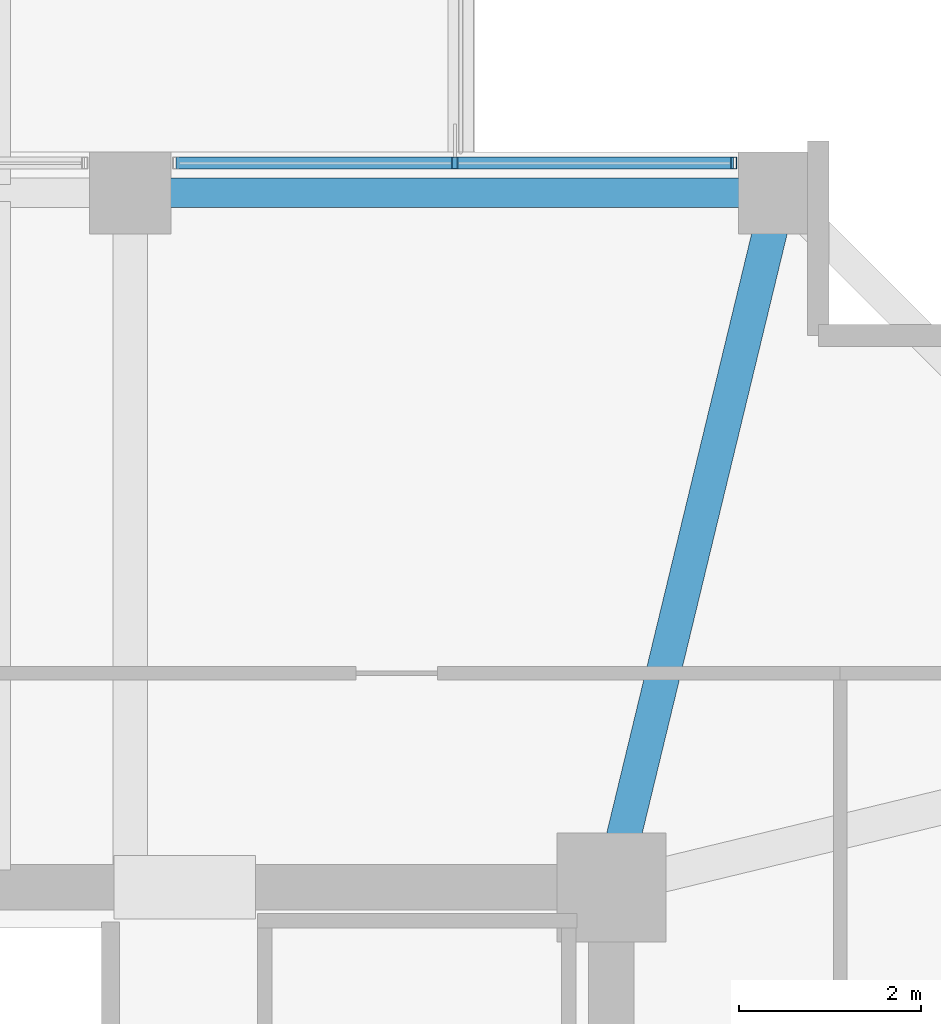
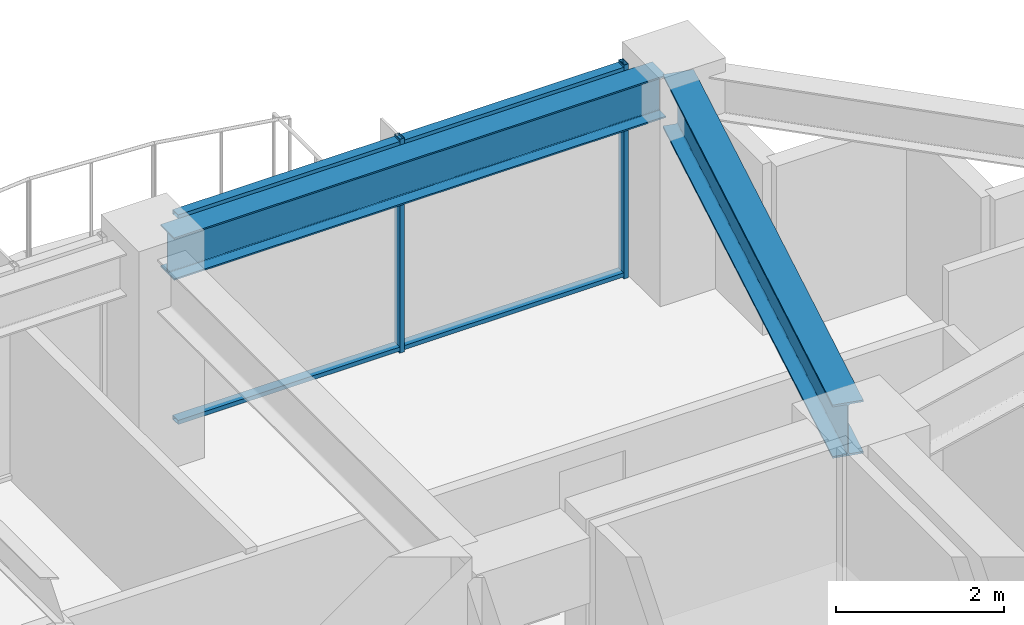
# One storey, part 19 of 31: 4 members, 2 beams, 1 element without a shape of its own.
"""IFC4 building model written with IfcOpenShell, lengths in metres."""

from ifc_helpers import new_model, si_unit, direction, frame, origin, origin_2d, place, context, subcontext, project, spatial, hollow_rectangle, i_section, extrude, material, material_profile, profile_set, type_object, element, aggregate, save


model = new_model("IFC4")

# Units and contexts
model_context = context("Model", 3, precision=1e-05, world=origin(), true_north=direction((0.0, 1.0)))
body_context = subcontext(model_context, "Body", "Model", "MODEL_VIEW")
ifc_project = project(units=[si_unit("LENGTHUNIT", "METRE"), si_unit("AREAUNIT", "SQUARE_METRE"), si_unit("VOLUMEUNIT", "CUBIC_METRE"), si_unit("PLANEANGLEUNIT", "RADIAN"), si_unit("MASSUNIT", "GRAM", prefix="KILO")], contexts=[model_context])

# Site, building, storey
site_placement = place(None, origin())
site = spatial("IfcSite", under=ifc_project, at=site_placement, CompositionType="ELEMENT")
building_placement = place(site_placement, origin())
building = spatial("IfcBuilding", under=site, at=building_placement, Name="Kolvaren Belvedere", CompositionType="ELEMENT")
storey_placement = place(building_placement, frame((0.0, 0.0, 134.89990234375)))
storey = spatial("IfcBuildingStorey", under=building, at=storey_placement, Name="L39", CompositionType="ELEMENT", Elevation=134.89990234375)

# Beams
ifc_material_1 = material(Name="Structural steel ASTM A992 Grade 50", Category="steel")
ifc_material_profile_1 = material_profile(ifc_material_1, i_section(OverallWidth=0.381103515625, OverallDepth=0.77294921875, WebThickness=0.0166015625, FlangeThickness=0.027099609375, FilletRadius=0.02392578125, at=origin_2d()), Name="W30X173")
ifc_profile_set_1 = profile_set([ifc_material_profile_1], Name="Structural steel ASTM A992 Grade 50")
beam_type_1 = type_object("IfcBeamType", Name="BM-GIRD-W30X173", PredefinedType="BEAM", material=ifc_profile_set_1)
beam_1_placement = place(storey_placement, frame((10.029296875, 10.4345703125, 2.713623046875), z_axis=(0.235062749937, 0.971980197119, 0.0), x_axis=(-0.971980197119, 0.235062749937, 0.0)))
element("IfcBeam", 1, at=beam_1_placement, inside=storey, type_object=beam_type_1, Name="L39 Corner Core-to-Perimeter Girder CC3-N4", PredefinedType="BEAM", context=body_context, shape_type="SweptSolid", body=[
    extrude(i_section(OverallWidth=0.381103515625, OverallDepth=0.77294921875, WebThickness=0.0166015625, FlangeThickness=0.027099609375, FilletRadius=0.02392578125, at=origin_2d()), origin(), (0.0, 0.0, 1.0), 7.140625),
])
ifc_material_2 = material(Name="Structural steel ASTM A992 Grade 50", Category="steel")
ifc_material_profile_2 = material_profile(ifc_material_2, i_section(OverallWidth=0.324951171875, OverallDepth=0.615966796875, WebThickness=0.013916015625, FlangeThickness=0.021484375, FilletRadius=0.02001953125, at=origin_2d()), Name="W24X117")
ifc_profile_set_2 = profile_set([ifc_material_profile_2], Name="Structural steel ASTM A992 Grade 50")
beam_type_2 = type_object("IfcBeamType", Name="BM-SPAN-W24X117", PredefinedType="SPANDREL", material=ifc_profile_set_2)
beam_2_placement = place(storey_placement, frame((11.547607421875, 17.550048828125, 2.7919921875), z_axis=(-1.0, 0.0, 0.0), x_axis=(0.0, -1.0, 0.0)))
element("IfcBeam", 2, at=beam_2_placement, inside=storey, type_object=beam_type_2, Name="L39 Perimeter Spandrel N4-N3", PredefinedType="SPANDREL", context=body_context, shape_type="SweptSolid", body=[
    extrude(i_section(OverallWidth=0.324951171875, OverallDepth=0.615966796875, WebThickness=0.013916015625, FlangeThickness=0.021484375, FilletRadius=0.02001953125, at=origin_2d()), origin(), (0.0, 0.0, 1.0), 6.7451171875),
])

# Curtain wall, members
ifc_material_3 = material(Name="Anodised pale-metal aluminium AA 6063-T6", Category="aluminium")
curtain_wall_type = type_object("IfcCurtainWallType", Name="CW-Z3-WAIST", PredefinedType="NOTDEFINED", material=ifc_material_3)
curtain_wall_placement = place(storey_placement, origin())
curtain_wall = element("IfcCurtainWall", 3, at=curtain_wall_placement, inside=storey, type_object=curtain_wall_type, Name="L39 Unitised Curtain Wall FCW-L39-N2-B2", PredefinedType="NOTDEFINED")
ifc_material_4 = material(Name="Anodised pale-metal aluminium AA 6063-T6", Category="aluminium")
ifc_material_profile_3 = material_profile(ifc_material_4, hollow_rectangle(XDim=0.06494140625, YDim=0.1298828125, WallThickness=0.00390625, at=origin_2d()), Name="ALU-MUL-130X65")
ifc_profile_set_3 = profile_set([ifc_material_profile_3], Name="Anodised pale-metal aluminium AA 6063-T6")
member_type_1 = type_object("IfcMemberType", Name="CW-MUL-130", PredefinedType="MULLION", material=ifc_profile_set_3)
member_1_placement = place(storey_placement, frame((8.175048828125, 17.8798828125, 0.0), z_axis=(0.0, 0.0, 1.0), x_axis=(1.0, 0.0, 0.0)))
member_1 = element("IfcMember", 4, at=member_1_placement, type_object=member_type_1, Name="FCW-L39-N2-B2 Unitised Mullion 2", PredefinedType="MULLION", context=body_context, shape_type="SweptSolid", body=[
    extrude(hollow_rectangle(XDim=0.06494140625, YDim=0.1298828125, WallThickness=0.00390625, at=origin_2d()), origin(), (0.0, 0.0, 1.0), 3.10009765625),
])
member_2_placement = place(storey_placement, frame((11.24755859375, 17.8798828125, 0.0), z_axis=(0.0, 0.0, 1.0), x_axis=(1.0, 0.0, 0.0)))
member_2 = element("IfcMember", 5, at=member_2_placement, type_object=member_type_1, Name="FCW-L39-N2-B2 Unitised Mullion 3", PredefinedType="MULLION", context=body_context, shape_type="SweptSolid", body=[
    extrude(hollow_rectangle(XDim=0.06494140625, YDim=0.1298828125, WallThickness=0.00390625, at=origin_2d()), origin(), (0.0, 0.0, 1.0), 3.10009765625),
])
ifc_material_5 = material(Name="Anodised pale-metal aluminium AA 6063-T6", Category="aluminium")
ifc_material_profile_4 = material_profile(ifc_material_5, hollow_rectangle(XDim=0.06005859375, YDim=0.1298828125, WallThickness=0.00390625, at=origin_2d()), Name="ALU-TRN-130X60")
ifc_profile_set_4 = profile_set([ifc_material_profile_4], Name="Anodised pale-metal aluminium AA 6063-T6")
member_type_2 = type_object("IfcMemberType", Name="CW-TRN-130", PredefinedType="USERDEFINED", material=ifc_profile_set_4)
member_3_placement = place(storey_placement, frame((5.1025390625, 17.8798828125, 0.06005859375), z_axis=(1.0, 0.0, 0.0), x_axis=(0.0, 0.0, 1.0)))
member_3 = element("IfcMember", 6, at=member_3_placement, type_object=member_type_2, Name="FCW-L39-N2-B2 Sill Transom", ObjectType="TRANSOM", PredefinedType="USERDEFINED", context=body_context, shape_type="SweptSolid", body=[
    extrude(hollow_rectangle(XDim=0.06005859375, YDim=0.1298828125, WallThickness=0.00390625, at=origin_2d()), origin(), (0.0, 0.0, 1.0), 6.14501953125),
])
member_4_placement = place(storey_placement, frame((5.1025390625, 17.8798828125, 3.0400390625), z_axis=(1.0, 0.0, 0.0), x_axis=(0.0, 0.0, 1.0)))
member_4 = element("IfcMember", 7, at=member_4_placement, type_object=member_type_2, Name="FCW-L39-N2-B2 Head Transom", ObjectType="TRANSOM", PredefinedType="USERDEFINED", context=body_context, shape_type="SweptSolid", body=[
    extrude(hollow_rectangle(XDim=0.06005859375, YDim=0.1298828125, WallThickness=0.00390625, at=origin_2d()), origin(), (0.0, 0.0, 1.0), 6.14501953125),
])
aggregate(curtain_wall, [member_1, member_2, member_3, member_4])

save(model, "model.ifc")
